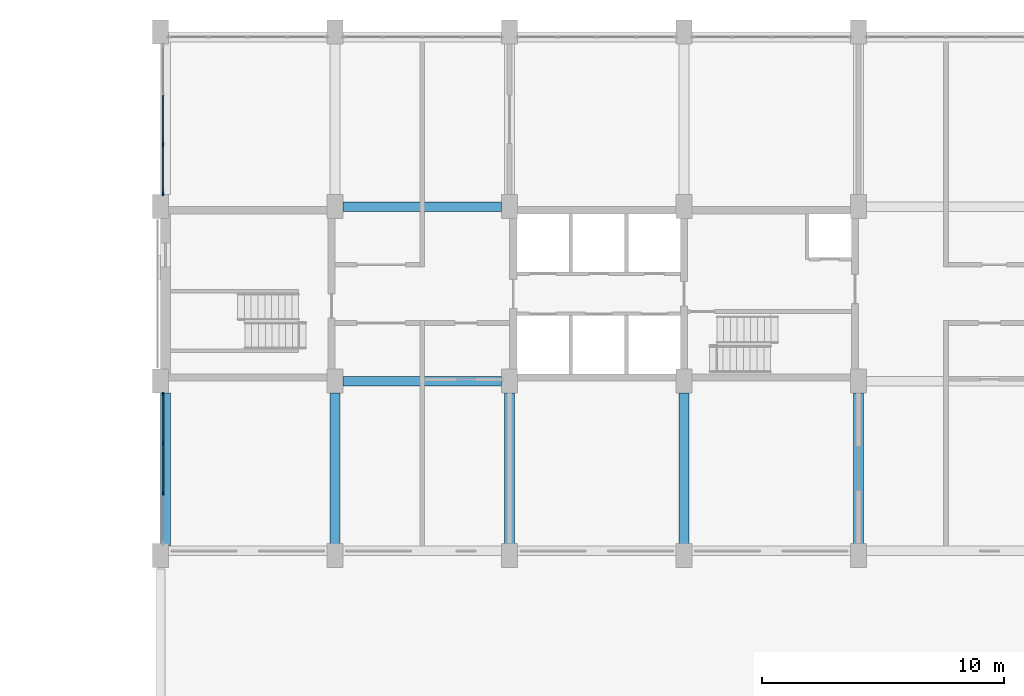
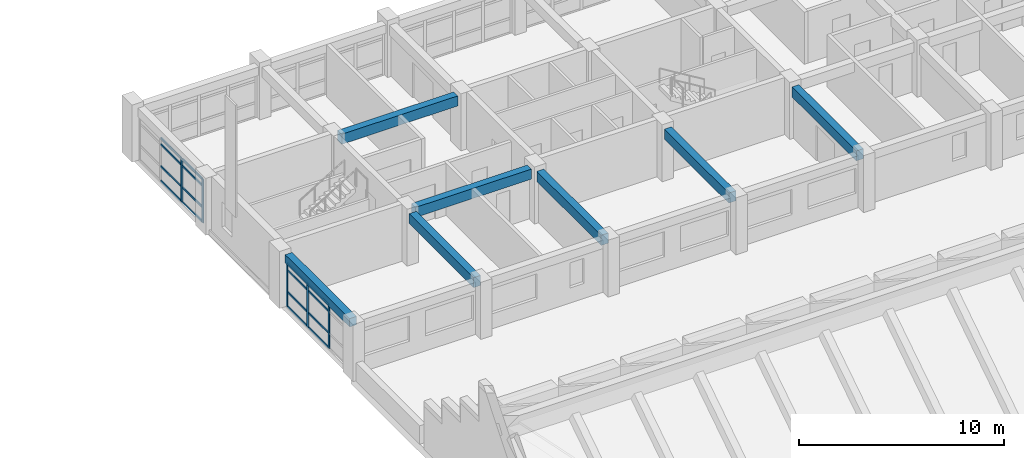
# One storey, part 11 of 31: 21 members, 7 beams, 2 elements without a shape of their own.
"""IFC4 building model written with IfcOpenShell, lengths in metres."""

from ifc_helpers import new_model, si_unit, direction, frame, origin, origin_2d, place, context, subcontext, project, spatial, rectangle, extrude, material, material_profile, profile_set, type_object, element, aggregate, save


model = new_model("IFC4")

# Units and contexts
model_context = context("Model", 3, precision=1e-05, world=origin(), true_north=direction((0.0, 1.0)))
body_context = subcontext(model_context, "Body", "Model", "MODEL_VIEW")
ifc_project = project(units=[si_unit("LENGTHUNIT", "METRE"), si_unit("AREAUNIT", "SQUARE_METRE"), si_unit("VOLUMEUNIT", "CUBIC_METRE"), si_unit("PLANEANGLEUNIT", "RADIAN"), si_unit("MASSUNIT", "GRAM", prefix="KILO")], contexts=[model_context])

# Site, building, storey
site_placement = place(None, origin())
site = spatial("IfcSite", under=ifc_project, at=site_placement, CompositionType="ELEMENT")
building_placement = place(site_placement, origin())
building = spatial("IfcBuilding", under=site, at=building_placement, Name="Vermilion Court Aquatics Centre", CompositionType="ELEMENT")
storey_placement = place(building_placement, frame((0.0, 0.0, 16.5)))
storey = spatial("IfcBuildingStorey", under=building, at=storey_placement, Name="L03", CompositionType="ELEMENT", Elevation=16.5)

# Curtain wall, members
ifc_material_1 = material(Name="Aluminium 6063-T5", Category="aluminium")
curtain_wall_type = type_object("IfcCurtainWallType", Name="North block glazed bay curtain wall 1800 module", PredefinedType="NOTDEFINED", material=ifc_material_1)
curtain_wall_1_placement = place(storey_placement, origin())
curtain_wall_1 = element("IfcCurtainWall", 1, at=curtain_wall_1_placement, inside=storey, type_object=curtain_wall_type, Name="West glazed bay 1 L03", PredefinedType="NOTDEFINED")
ifc_material_2 = material(Name="Aluminium 6063-T5", Category="aluminium")
ifc_material_profile_1 = material_profile(ifc_material_2, rectangle(XDim=0.06005859375, YDim=0.159912109375, at=origin_2d()), Name="AL 60x160")
ifc_profile_set_1 = profile_set([ifc_material_profile_1], Name="Aluminium 6063-T5")
member_type_1 = type_object("IfcMemberType", Name="North block curtain wall mullion 60x160", PredefinedType="MULLION", material=ifc_profile_set_1)
member_1_placement = place(storey_placement, frame((144.10009765625, 96.166748046875, 0.0), z_axis=(0.0, 0.0, 1.0), x_axis=(-1.0, 0.0, 0.0)))
member_1 = element("IfcMember", 2, at=member_1_placement, type_object=member_type_1, Name="UCW1 mullion 2", PredefinedType="MULLION", context=body_context, shape_type="SweptSolid", body=[
    extrude(rectangle(XDim=0.06005859375, YDim=0.159912109375, at=origin_2d()), origin(), (0.0, 0.0, 1.0), 2.60009765625),
])
member_2_placement = place(storey_placement, frame((144.10009765625, 98.2333984375, 0.0), z_axis=(0.0, 0.0, 1.0), x_axis=(-1.0, 0.0, 0.0)))
member_2 = element("IfcMember", 3, at=member_2_placement, type_object=member_type_1, Name="UCW1 mullion 3", PredefinedType="MULLION", context=body_context, shape_type="SweptSolid", body=[
    extrude(rectangle(XDim=0.06005859375, YDim=0.159912109375, at=origin_2d()), origin(), (0.0, 0.0, 1.0), 2.60009765625),
])
member_3_placement = place(storey_placement, frame((144.10009765625, 100.27001953125, 0.0), z_axis=(0.0, 0.0, 1.0), x_axis=(-1.0, 0.0, 0.0)))
member_3 = element("IfcMember", 4, at=member_3_placement, type_object=member_type_1, Name="UCW1 mullion 4", PredefinedType="MULLION", context=body_context, shape_type="SweptSolid", body=[
    extrude(rectangle(XDim=0.06005859375, YDim=0.159912109375, at=origin_2d()), origin(), (0.0, 0.0, 1.0), 2.60009765625),
])

curtain_wall_2_placement = place(storey_placement, origin())
curtain_wall_2 = element("IfcCurtainWall", 5, at=curtain_wall_2_placement, inside=storey, type_object=curtain_wall_type, Name="West glazed bay 2 L03", PredefinedType="NOTDEFINED")
member_4_placement = place(storey_placement, frame((144.10009765625, 108.530029296875, 0.0), z_axis=(0.0, 0.0, 1.0), x_axis=(-1.0, 0.0, 0.0)))
member_4 = element("IfcMember", 6, at=member_4_placement, type_object=member_type_1, Name="UCW1 mullion 1", PredefinedType="MULLION", context=body_context, shape_type="SweptSolid", body=[
    extrude(rectangle(XDim=0.06005859375, YDim=0.159912109375, at=origin_2d()), origin(), (0.0, 0.0, 1.0), 2.60009765625),
])
member_5_placement = place(storey_placement, frame((144.10009765625, 110.566650390625, 0.0), z_axis=(0.0, 0.0, 1.0), x_axis=(-1.0, 0.0, 0.0)))
member_5 = element("IfcMember", 7, at=member_5_placement, type_object=member_type_1, Name="UCW1 mullion 2", PredefinedType="MULLION", context=body_context, shape_type="SweptSolid", body=[
    extrude(rectangle(XDim=0.06005859375, YDim=0.159912109375, at=origin_2d()), origin(), (0.0, 0.0, 1.0), 2.60009765625),
])

# Member
ifc_material_3 = material(Name="Aluminium 6063-T5", Category="aluminium")
ifc_material_profile_2 = material_profile(ifc_material_3, rectangle(XDim=0.06005859375, YDim=0.1201171875, at=origin_2d()), Name="AL 60x120")
ifc_profile_set_2 = profile_set([ifc_material_profile_2], Name="Aluminium 6063-T5")
member_type_2 = type_object("IfcMemberType", Name="North block curtain wall transom 60x120", PredefinedType="USERDEFINED", material=ifc_profile_set_2)
member_6_placement = place(storey_placement, frame((144.10009765625, 96.19677734375, 0.030029296875), z_axis=(0.0, 1.0, 0.0), x_axis=(-1.0, 0.0, 0.0)))
member_6 = element("IfcMember", 8, at=member_6_placement, type_object=member_type_2, Name="UCW1 transom 2.1", ObjectType="TRANSOM", PredefinedType="USERDEFINED", context=body_context, shape_type="SweptSolid", body=[
    extrude(rectangle(XDim=0.06005859375, YDim=0.1201171875, at=origin_2d()), origin(), (0.0, 0.0, 1.0), 2.006591796875),
])

member_7_placement = place(storey_placement, frame((144.10009765625, 96.19677734375, 0.89990234375), z_axis=(0.0, 1.0, 0.0), x_axis=(-1.0, 0.0, 0.0)))
member_7 = element("IfcMember", 9, at=member_7_placement, type_object=member_type_2, Name="UCW1 transom 2.2", ObjectType="TRANSOM", PredefinedType="USERDEFINED", context=body_context, shape_type="SweptSolid", body=[
    extrude(rectangle(XDim=0.06005859375, YDim=0.1201171875, at=origin_2d()), origin(), (0.0, 0.0, 1.0), 2.006591796875),
])

member_8_placement = place(storey_placement, frame((144.10009765625, 96.19677734375, 2.199951171875), z_axis=(0.0, 1.0, 0.0), x_axis=(-1.0, 0.0, 0.0)))
member_8 = element("IfcMember", 10, at=member_8_placement, type_object=member_type_2, Name="UCW1 transom 2.3", ObjectType="TRANSOM", PredefinedType="USERDEFINED", context=body_context, shape_type="SweptSolid", body=[
    extrude(rectangle(XDim=0.06005859375, YDim=0.1201171875, at=origin_2d()), origin(), (0.0, 0.0, 1.0), 2.006591796875),
])

member_9_placement = place(storey_placement, frame((144.10009765625, 96.19677734375, 2.570068359375), z_axis=(0.0, 1.0, 0.0), x_axis=(-1.0, 0.0, 0.0)))
member_9 = element("IfcMember", 11, at=member_9_placement, type_object=member_type_2, Name="UCW1 transom 2.4", ObjectType="TRANSOM", PredefinedType="USERDEFINED", context=body_context, shape_type="SweptSolid", body=[
    extrude(rectangle(XDim=0.06005859375, YDim=0.1201171875, at=origin_2d()), origin(), (0.0, 0.0, 1.0), 2.006591796875),
])

member_10_placement = place(storey_placement, frame((144.10009765625, 98.263427734375, 0.030029296875), z_axis=(0.0, 1.0, 0.0), x_axis=(-1.0, 0.0, 0.0)))
member_10 = element("IfcMember", 12, at=member_10_placement, type_object=member_type_2, Name="UCW1 transom 3.1", ObjectType="TRANSOM", PredefinedType="USERDEFINED", context=body_context, shape_type="SweptSolid", body=[
    extrude(rectangle(XDim=0.06005859375, YDim=0.1201171875, at=origin_2d()), origin(), (0.0, 0.0, 1.0), 1.9765625),
])

member_11_placement = place(storey_placement, frame((144.10009765625, 98.263427734375, 0.89990234375), z_axis=(0.0, 1.0, 0.0), x_axis=(-1.0, 0.0, 0.0)))
member_11 = element("IfcMember", 13, at=member_11_placement, type_object=member_type_2, Name="UCW1 transom 3.2", ObjectType="TRANSOM", PredefinedType="USERDEFINED", context=body_context, shape_type="SweptSolid", body=[
    extrude(rectangle(XDim=0.06005859375, YDim=0.1201171875, at=origin_2d()), origin(), (0.0, 0.0, 1.0), 1.9765625),
])

member_12_placement = place(storey_placement, frame((144.10009765625, 98.263427734375, 2.199951171875), z_axis=(0.0, 1.0, 0.0), x_axis=(-1.0, 0.0, 0.0)))
member_12 = element("IfcMember", 14, at=member_12_placement, type_object=member_type_2, Name="UCW1 transom 3.3", ObjectType="TRANSOM", PredefinedType="USERDEFINED", context=body_context, shape_type="SweptSolid", body=[
    extrude(rectangle(XDim=0.06005859375, YDim=0.1201171875, at=origin_2d()), origin(), (0.0, 0.0, 1.0), 1.9765625),
])

member_13_placement = place(storey_placement, frame((144.10009765625, 98.263427734375, 2.570068359375), z_axis=(0.0, 1.0, 0.0), x_axis=(-1.0, 0.0, 0.0)))
member_13 = element("IfcMember", 15, at=member_13_placement, type_object=member_type_2, Name="UCW1 transom 3.4", ObjectType="TRANSOM", PredefinedType="USERDEFINED", context=body_context, shape_type="SweptSolid", body=[
    extrude(rectangle(XDim=0.06005859375, YDim=0.1201171875, at=origin_2d()), origin(), (0.0, 0.0, 1.0), 1.9765625),
])

aggregate(curtain_wall_1, [member_1, member_2, member_3, member_6, member_7, member_8, member_9, member_10, member_11, member_12, member_13])

member_14_placement = place(storey_placement, frame((144.10009765625, 108.56005859375, 0.030029296875), z_axis=(0.0, 1.0, 0.0), x_axis=(-1.0, 0.0, 0.0)))
member_14 = element("IfcMember", 16, at=member_14_placement, type_object=member_type_2, Name="UCW1 transom 1.1", ObjectType="TRANSOM", PredefinedType="USERDEFINED", context=body_context, shape_type="SweptSolid", body=[
    extrude(rectangle(XDim=0.06005859375, YDim=0.1201171875, at=origin_2d()), origin(), (0.0, 0.0, 1.0), 1.9765625),
])

member_15_placement = place(storey_placement, frame((144.10009765625, 108.56005859375, 0.89990234375), z_axis=(0.0, 1.0, 0.0), x_axis=(-1.0, 0.0, 0.0)))
member_15 = element("IfcMember", 17, at=member_15_placement, type_object=member_type_2, Name="UCW1 transom 1.2", ObjectType="TRANSOM", PredefinedType="USERDEFINED", context=body_context, shape_type="SweptSolid", body=[
    extrude(rectangle(XDim=0.06005859375, YDim=0.1201171875, at=origin_2d()), origin(), (0.0, 0.0, 1.0), 1.9765625),
])

member_16_placement = place(storey_placement, frame((144.10009765625, 108.56005859375, 2.199951171875), z_axis=(0.0, 1.0, 0.0), x_axis=(-1.0, 0.0, 0.0)))
member_16 = element("IfcMember", 18, at=member_16_placement, type_object=member_type_2, Name="UCW1 transom 1.3", ObjectType="TRANSOM", PredefinedType="USERDEFINED", context=body_context, shape_type="SweptSolid", body=[
    extrude(rectangle(XDim=0.06005859375, YDim=0.1201171875, at=origin_2d()), origin(), (0.0, 0.0, 1.0), 1.9765625),
])

member_17_placement = place(storey_placement, frame((144.10009765625, 108.56005859375, 2.570068359375), z_axis=(0.0, 1.0, 0.0), x_axis=(-1.0, 0.0, 0.0)))
member_17 = element("IfcMember", 19, at=member_17_placement, type_object=member_type_2, Name="UCW1 transom 1.4", ObjectType="TRANSOM", PredefinedType="USERDEFINED", context=body_context, shape_type="SweptSolid", body=[
    extrude(rectangle(XDim=0.06005859375, YDim=0.1201171875, at=origin_2d()), origin(), (0.0, 0.0, 1.0), 1.9765625),
])

member_18_placement = place(storey_placement, frame((144.10009765625, 110.5966796875, 0.030029296875), z_axis=(0.0, 1.0, 0.0), x_axis=(-1.0, 0.0, 0.0)))
member_18 = element("IfcMember", 20, at=member_18_placement, type_object=member_type_2, Name="UCW1 transom 2.1", ObjectType="TRANSOM", PredefinedType="USERDEFINED", context=body_context, shape_type="SweptSolid", body=[
    extrude(rectangle(XDim=0.06005859375, YDim=0.1201171875, at=origin_2d()), origin(), (0.0, 0.0, 1.0), 2.006591796875),
])

member_19_placement = place(storey_placement, frame((144.10009765625, 110.5966796875, 0.89990234375), z_axis=(0.0, 1.0, 0.0), x_axis=(-1.0, 0.0, 0.0)))
member_19 = element("IfcMember", 21, at=member_19_placement, type_object=member_type_2, Name="UCW1 transom 2.2", ObjectType="TRANSOM", PredefinedType="USERDEFINED", context=body_context, shape_type="SweptSolid", body=[
    extrude(rectangle(XDim=0.06005859375, YDim=0.1201171875, at=origin_2d()), origin(), (0.0, 0.0, 1.0), 2.006591796875),
])

member_20_placement = place(storey_placement, frame((144.10009765625, 110.5966796875, 2.199951171875), z_axis=(0.0, 1.0, 0.0), x_axis=(-1.0, 0.0, 0.0)))
member_20 = element("IfcMember", 22, at=member_20_placement, type_object=member_type_2, Name="UCW1 transom 2.3", ObjectType="TRANSOM", PredefinedType="USERDEFINED", context=body_context, shape_type="SweptSolid", body=[
    extrude(rectangle(XDim=0.06005859375, YDim=0.1201171875, at=origin_2d()), origin(), (0.0, 0.0, 1.0), 2.006591796875),
])

member_21_placement = place(storey_placement, frame((144.10009765625, 110.5966796875, 2.570068359375), z_axis=(0.0, 1.0, 0.0), x_axis=(-1.0, 0.0, 0.0)))
member_21 = element("IfcMember", 23, at=member_21_placement, type_object=member_type_2, Name="UCW1 transom 2.4", ObjectType="TRANSOM", PredefinedType="USERDEFINED", context=body_context, shape_type="SweptSolid", body=[
    extrude(rectangle(XDim=0.06005859375, YDim=0.1201171875, at=origin_2d()), origin(), (0.0, 0.0, 1.0), 2.006591796875),
])

aggregate(curtain_wall_2, [member_4, member_5, member_14, member_15, member_16, member_17, member_18, member_19, member_20, member_21])

# Beams
ifc_material_4 = material(Name="Concrete 6000 psi", Category="concrete")
ifc_material_profile_3 = material_profile(ifc_material_4, rectangle(XDim=0.39990234375, YDim=0.60009765625, at=origin_2d()), Name="RC 400x600")
ifc_profile_set_3 = profile_set([ifc_material_profile_3], Name="Concrete 6000 psi")
beam_type_1 = type_object("IfcBeamType", Name="North block floor girder 400x600", PredefinedType="BEAM", material=ifc_profile_set_3)
for number, where, z_axis, x_axis, name in (
    (24, (151.52490234375, 100.800048828125, 2.800048828125), (1.0, 0.0, 0.0), (0.0, 1.0, 0.0), "Floor beam L04 x100.8"),
    (25, (151.52490234375, 108.0, 2.800048828125), (1.0, 0.0, 0.0), (0.0, 1.0, 0.0), "Floor beam L04 x108"),
):
    element("IfcBeam", number, at=place(storey_placement, frame(where, z_axis=z_axis, x_axis=x_axis)), inside=storey, type_object=beam_type_1, Name=name, PredefinedType="BEAM", context=body_context, shape_type="SweptSolid", body=[
        extrude(rectangle(XDim=0.39990234375, YDim=0.60009765625, at=origin_2d()), origin(), (0.0, 0.0, 1.0), 6.550048828125),
    ])
for number, where, z_axis, x_axis, name in (
    (26, (151.199951171875, 94.0, 2.800048828125), (0.0, 1.0, 0.0), (-1.0, 0.0, 0.0), "Floor beam L04 y151.2"),
    (27, (158.39990234375, 94.0, 2.800048828125), (0.0, 1.0, 0.0), (-1.0, 0.0, 0.0), "Floor beam L04 y158.4"),
    (28, (165.60009765625, 94.0, 2.800048828125), (0.0, 1.0, 0.0), (-1.0, 0.0, 0.0), "Floor beam L04 y165.6"),
    (29, (172.800048828125, 94.0, 2.800048828125), (0.0, 1.0, 0.0), (-1.0, 0.0, 0.0), "Floor beam L04 y172.8"),
):
    element("IfcBeam", number, at=place(storey_placement, frame(where, z_axis=z_axis, x_axis=x_axis)), inside=storey, type_object=beam_type_1, Name=name, PredefinedType="BEAM", context=body_context, shape_type="SweptSolid", body=[
        extrude(rectangle(XDim=0.39990234375, YDim=0.60009765625, at=origin_2d()), origin(), (0.0, 0.0, 1.0), 6.300048828125),
    ])
ifc_material_5 = material(Name="Concrete 6000 psi", Category="concrete")
ifc_material_profile_4 = material_profile(ifc_material_5, rectangle(XDim=0.39990234375, YDim=0.5, at=origin_2d()), Name="RC 400x500")
ifc_profile_set_4 = profile_set([ifc_material_profile_4], Name="Concrete 6000 psi")
beam_type_2 = type_object("IfcBeamType", Name="North block spandrel beam 400x500", PredefinedType="BEAM", material=ifc_profile_set_4)
beam_placement = place(storey_placement, frame((144.199951171875, 94.0, 2.85009765625), z_axis=(0.0, 1.0, 0.0), x_axis=(-1.0, 0.0, 0.0)))
element("IfcBeam", 30, at=beam_placement, inside=storey, type_object=beam_type_2, Name="Spandrel beam L04 y144.2", PredefinedType="BEAM", context=body_context, shape_type="SweptSolid", body=[
    extrude(rectangle(XDim=0.39990234375, YDim=0.5, at=origin_2d()), origin(), (0.0, 0.0, 1.0), 6.300048828125),
])

save(model, "model.ifc")
